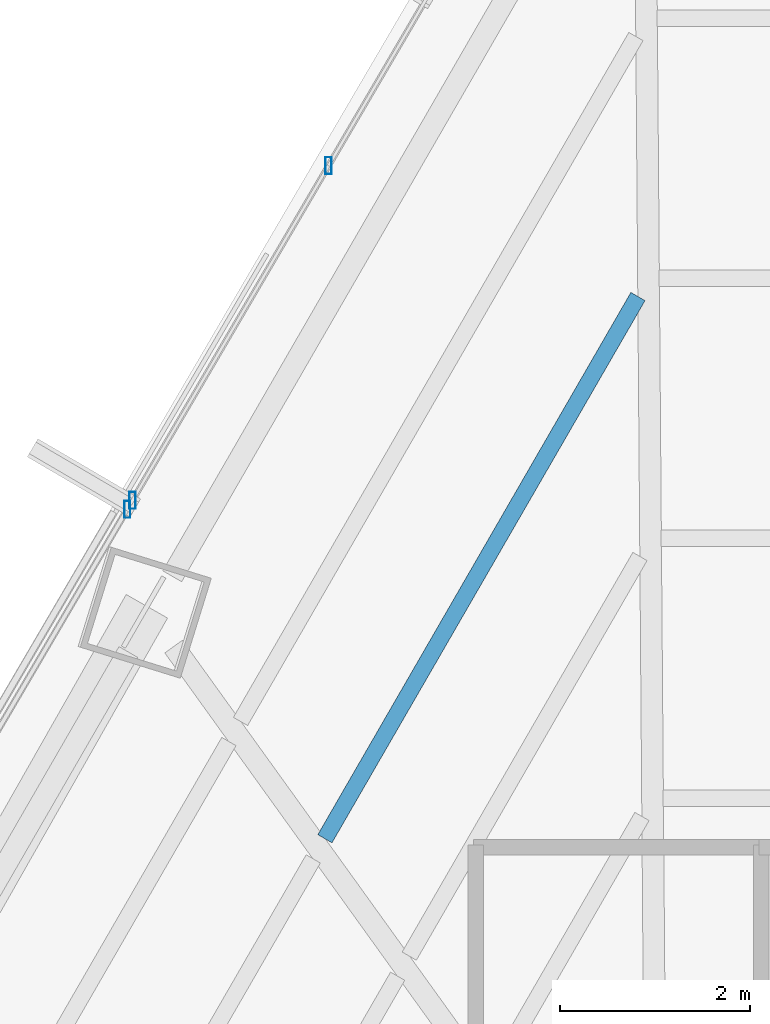
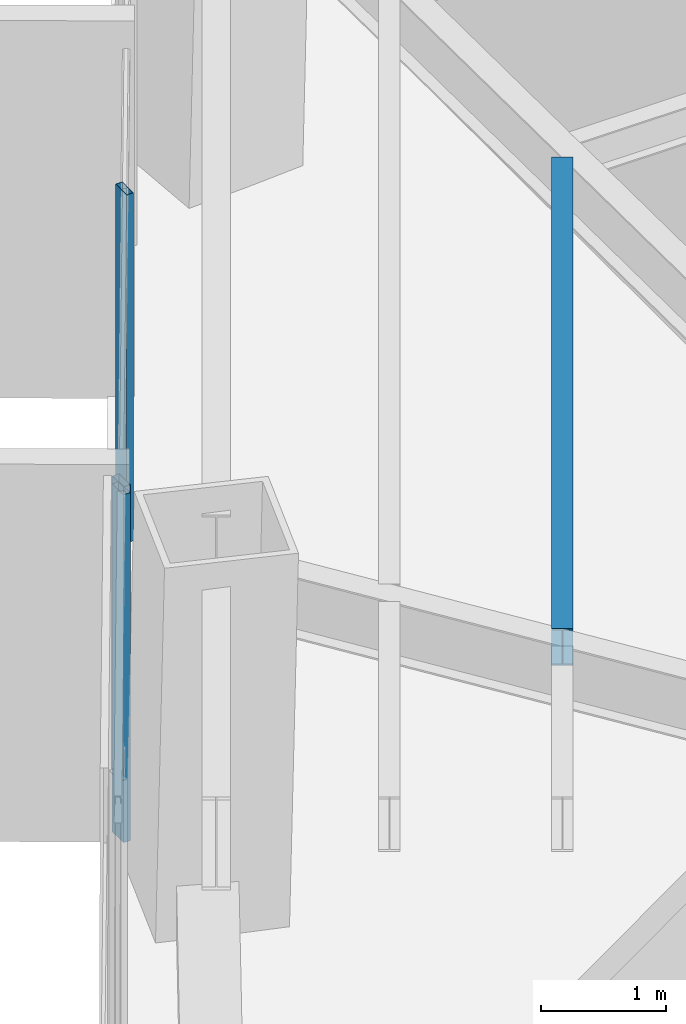
# One storey, part 24 of 35: 3 members, 1 beam, 2 elements without a shape of their own.
"""IFC4 building model written with IfcOpenShell, lengths in metres."""

import ifcopenshell
import ifcopenshell.guid

model = None  # the IFC model being written
_history = None  # IfcOwnerHistory: only IFC2X3 demands one
_inside = {}  # id of a spatial element -> (the spatial element, [elements in it])
_under = {}  # id of a project, library or spatial element -> (it, [spatial elements below it])
_declared = {}  # id of a project -> (the project, [libraries it declares])
_typed = {}  # id of a type object -> (the type object, [elements of that type])
_made_of = {}  # id of a material, layer set ... -> (it, [elements and type objects made of it])


def new_model(schema):
    """Start an empty IFC model of exactly this schema.

    Asked for "IFC4X3", IfcOpenShell would pick the latest addendum, in which some entities
    have other attributes; the version numbers below select the first issue.
    IFC2X3 requires an IfcOwnerHistory on every rooted entity: one is made here for all.
    """
    global model, _history
    if schema == "IFC4X3":
        model = ifcopenshell.file(schema_version=(4, 3, 0, 0))
    else:
        model = ifcopenshell.file(schema=schema)
    _inside.clear()
    _under.clear()
    _declared.clear()
    _typed.clear()
    _made_of.clear()
    _history = None
    if model.schema == "IFC2X3":
        org = make("IfcOrganization", Name="unknown")
        user = make(
            "IfcPersonAndOrganization",
            ThePerson=make("IfcPerson", FamilyName="unknown"),
            TheOrganization=org,
        )
        app = make(
            "IfcApplication",
            ApplicationDeveloper=org,
            Version="unknown",
            ApplicationFullName="unknown",
            ApplicationIdentifier="unknown",
        )
        _history = make(
            "IfcOwnerHistory",
            OwningUser=user,
            OwningApplication=app,
            ChangeAction="ADDED",
            CreationDate=0,
        )
    return model


def make(cls, **values):
    """One entity of the class cls with the attributes given. An attribute that is None is left unset."""
    return model.create_entity(
        cls, **{name: value for name, value in values.items() if value is not None}
    )


def rooted(cls, **values):
    """An entity with a GlobalId (a new one), such as an element, a storey or a relation."""
    return make(cls, GlobalId=ifcopenshell.guid.new(), OwnerHistory=_history, **values)


def si_unit(unit_type, name, prefix=None):
    """IfcSIUnit, for example si_unit("LENGTHUNIT", "METRE", prefix="MILLI")."""
    return make("IfcSIUnit", UnitType=unit_type, Prefix=prefix, Name=name)


def assignment(units):
    """IfcUnitAssignment: the units of a project."""
    return None if units is None else make("IfcUnitAssignment", Units=units)


def point(xyz):
    """IfcCartesianPoint."""
    return None if xyz is None else make("IfcCartesianPoint", Coordinates=xyz)


def direction(xyz):
    """IfcDirection."""
    return None if xyz is None else make("IfcDirection", DirectionRatios=xyz)


def frame(location, z_axis=None, x_axis=None):
    """IfcAxis2Placement3D, a coordinate frame: its origin and axes. An axis left out is left unset."""
    return make(
        "IfcAxis2Placement3D",
        Location=point(location),
        Axis=direction(z_axis),
        RefDirection=direction(x_axis),
    )


def frame_2d(location, x_axis=None):
    """IfcAxis2Placement2D, a coordinate frame in the plane: its origin and x axis."""
    return make(
        "IfcAxis2Placement2D", Location=point(location), RefDirection=direction(x_axis)
    )


def origin():
    """The frame at (0, 0, 0) with its axes left unset."""
    return frame((0.0, 0.0, 0.0))


def origin_2d():
    """The frame at (0, 0) in the plane with its x axis left unset."""
    return frame_2d((0.0, 0.0))


def place(relative_to, where):
    """IfcLocalPlacement: puts the frame where relative to a parent placement (None: the world)."""
    return make(
        "IfcLocalPlacement", PlacementRelTo=relative_to, RelativePlacement=where
    )


def context(
    kind, dimensions, precision=None, world=None, true_north=None, identifier=None
):
    """IfcGeometricRepresentationContext, for example the 3D "Model" context."""
    return make(
        "IfcGeometricRepresentationContext",
        ContextIdentifier=identifier,
        ContextType=kind,
        CoordinateSpaceDimension=dimensions,
        Precision=precision,
        WorldCoordinateSystem=world,
        TrueNorth=true_north,
    )


def subcontext(parent, identifier, kind, view, scale=None):
    """IfcGeometricRepresentationSubContext, for example "Body" below "Model"."""
    return make(
        "IfcGeometricRepresentationSubContext",
        ContextIdentifier=identifier,
        ContextType=kind,
        ParentContext=parent,
        TargetScale=scale,
        TargetView=view,
    )


def project(units=None, contexts=None):
    """IfcProject with its units and contexts."""
    return rooted(
        "IfcProject",
        Name="project",
        RepresentationContexts=contexts,
        UnitsInContext=assignment(units),
    )


def spatial(cls, under=None, at=None, **own):
    """A site, building, storey or space (cls), placed at a placement, below another one or the project."""
    s = rooted(cls, ObjectPlacement=at, **own)
    if under is not None:
        _under.setdefault(under.id(), (under, []))[1].append(s)
    return s


def profile(cls, at=None, kind="AREA", **sizes):
    """A parametric profile (cls). Its sizes go by their IFC names, for example OverallWidth=200.0."""
    return make(cls, ProfileType=kind, Position=at, **sizes)


def hollow_rectangle(**sizes):
    """IfcRectangleHollowProfileDef."""
    return profile("IfcRectangleHollowProfileDef", **sizes)


def i_section(**sizes):
    """IfcIShapeProfileDef."""
    return profile("IfcIShapeProfileDef", **sizes)


def extrude(swept, where, along, depth):
    """IfcExtrudedAreaSolid: the profile swept, set in the frame where, extruded along a direction by depth."""
    return make(
        "IfcExtrudedAreaSolid",
        SweptArea=swept,
        Position=where,
        ExtrudedDirection=direction(along),
        Depth=depth,
    )


def shape(context_of_items, identifier, shape_type, items):
    """IfcShapeRepresentation: the items that make up one representation, for example the "Body"."""
    return make(
        "IfcShapeRepresentation",
        ContextOfItems=context_of_items,
        RepresentationIdentifier=identifier,
        RepresentationType=shape_type,
        Items=items,
    )


def source(mapping_origin, context_of_items, identifier, shape_type, items):
    """IfcRepresentationMap: a shape defined once, which mapped items show again and again."""
    return make(
        "IfcRepresentationMap",
        MappingOrigin=mapping_origin,
        MappedRepresentation=shape(context_of_items, identifier, shape_type, items),
    )


def transform(
    local_origin,
    x_axis=None,
    y_axis=None,
    z_axis=None,
    scale=None,
    scale2=None,
    scale3=None,
    uniform=True,
):
    """IfcCartesianTransformationOperator3D, or its non-uniform kind. x_axis, y_axis, z_axis: its Axis1, 2, 3."""
    if uniform:
        return make(
            "IfcCartesianTransformationOperator3D",
            Axis1=direction(x_axis),
            Axis2=direction(y_axis),
            LocalOrigin=point(local_origin),
            Scale=scale,
            Axis3=direction(z_axis),
        )
    return make(
        "IfcCartesianTransformationOperator3DnonUniform",
        Axis1=direction(x_axis),
        Axis2=direction(y_axis),
        LocalOrigin=point(local_origin),
        Scale=scale,
        Axis3=direction(z_axis),
        Scale2=scale2,
        Scale3=scale3,
    )


def mapped(mapping_source, mapping_target):
    """IfcMappedItem: shows the shape of a source again, moved by a transform."""
    return make(
        "IfcMappedItem", MappingSource=mapping_source, MappingTarget=mapping_target
    )


def material(Name=None, Category=None):
    """IfcMaterial."""
    return make("IfcMaterial", Name=Name, Category=Category)


def material_profile(
    of_material, cross_section, Name=None, Category=None, Priority=None
):
    """IfcMaterialProfile: a cross section and its material."""
    return make(
        "IfcMaterialProfile",
        Name=Name,
        Material=of_material,
        Profile=cross_section,
        Priority=Priority,
        Category=Category,
    )


def profile_set(profiles, Name=None, composite=None):
    """IfcMaterialProfileSet."""
    return make(
        "IfcMaterialProfileSet",
        Name=Name,
        MaterialProfiles=profiles,
        CompositeProfile=composite,
    )


def made_of(thing, what):
    """Note that an element or type object is made of a material, layer set ...; save() writes the relation."""
    if what is not None:
        _made_of.setdefault(what.id(), (what, []))[1].append(thing)
    return thing


def type_object(cls, material=None, **own):
    """A type object (cls), such as IfcWallType, which elements share."""
    return made_of(rooted(cls, **own), material)


def type_shapes(of_type, sources):
    """Give a type object the sources (RepresentationMaps) that its elements show as mapped items."""
    of_type.RepresentationMaps = sources


def element(
    cls,
    number,
    at=None,
    inside=None,
    cuts=None,
    type_object=None,
    material=None,
    context=None,
    identifier="Body",
    shape_type=None,
    held_by="IfcProductDefinitionShape",
    body=None,
    shapes=None,
    **own,
):
    """One element of the class cls, such as IfcWall. Its Tag is "e" and its number.

    at: its placement. inside: the storey or other place that contains it. cuts: it is an
    opening in that element (IfcRelVoidsElement). A single representation is given by context,
    identifier, shape_type and body (its items); several are given by shapes. held_by: the class
    of the entity that holds the representations. save() writes the other relations.
    """
    e = rooted(cls, Tag="e%d" % number, ObjectPlacement=at, **own)
    if body is not None:
        shapes = [shape(context, identifier, shape_type, body)]
    if shapes is not None:
        e.Representation = make(held_by, Representations=shapes)
    if inside is not None:
        _inside.setdefault(inside.id(), (inside, []))[1].append(e)
    if cuts is not None:
        rooted(
            "IfcRelVoidsElement", RelatingBuildingElement=cuts, RelatedOpeningElement=e
        )
    if type_object is not None:
        _typed.setdefault(type_object.id(), (type_object, []))[1].append(e)
    return made_of(e, material)


def aggregate(whole, parts):
    """IfcRelAggregates: a whole, such as a stair, and the parts it consists of."""
    return rooted("IfcRelAggregates", RelatingObject=whole, RelatedObjects=parts)


def save(model, path):
    """Write the relations noted so far, then the file.

    IfcRelAggregates (storeys below a building ...), IfcRelContainedInSpatialStructure (elements
    in a storey), IfcRelDefinesByType, IfcRelAssociatesMaterial and IfcRelDeclares: one each for
    every whole, place, type object, material and project.
    """
    for whole, parts in _under.values():
        aggregate(whole, parts)
    for where, things in _inside.values():
        rooted(
            "IfcRelContainedInSpatialStructure",
            RelatedElements=things,
            RelatingStructure=where,
        )
    for kind, things in _typed.values():
        rooted("IfcRelDefinesByType", RelatedObjects=things, RelatingType=kind)
    for what, things in _made_of.values():
        rooted("IfcRelAssociatesMaterial", RelatedObjects=things, RelatingMaterial=what)
    for by, libraries in _declared.values():
        rooted("IfcRelDeclares", RelatingContext=by, RelatedDefinitions=libraries)
    model.write(path)


model = new_model("IFC4")

# Units and contexts
model_context = context("Model", 3, precision=1e-05, world=origin(), true_north=direction((0.0, 1.0)))
body_context = subcontext(model_context, "Body", "Model", "MODEL_VIEW")
ifc_project = project(units=[si_unit("LENGTHUNIT", "METRE"), si_unit("AREAUNIT", "SQUARE_METRE"), si_unit("VOLUMEUNIT", "CUBIC_METRE"), si_unit("PLANEANGLEUNIT", "RADIAN"), si_unit("MASSUNIT", "GRAM", prefix="KILO")], contexts=[model_context])

# Site, building, storey
site_placement = place(None, origin())
site = spatial("IfcSite", under=ifc_project, at=site_placement, CompositionType="ELEMENT")
building_placement = place(site_placement, origin())
building = spatial("IfcBuilding", under=site, at=building_placement, Name="Caelisora Broadcast Tower", CompositionType="ELEMENT")
storey_placement = place(building_placement, frame((0.0, 0.0, 94.449951171875)))
storey = spatial("IfcBuildingStorey", under=building, at=storey_placement, Name="L24", CompositionType="ELEMENT", Elevation=94.449951171875)

# Beam
ifc_material_1 = material(Name="Steel Grade 350 (AS/NZS 3679.1)", Category="steel")
ifc_material_profile_1 = material_profile(ifc_material_1, i_section(OverallWidth=0.172119140625, OverallDepth=0.358642578125, WebThickness=0.008056640625, FlangeThickness=0.012939453125, at=origin_2d()), Name="Steel Grade 350 (AS/NZS 3679.1)")
ifc_profile_set_1 = profile_set([ifc_material_profile_1], Name="Steel Grade 350 (AS/NZS 3679.1)")
beam_type = type_object("IfcBeamType", Name="SB02", PredefinedType="JOIST", material=ifc_profile_set_1)
shared_shape_1 = source(origin(), body_context, "Body", "SweptSolid", [
    extrude(i_section(OverallWidth=0.172119140625, OverallDepth=0.358642578125, WebThickness=0.008056640625, FlangeThickness=0.012939453125, at=origin_2d()), origin(), (0.0, 0.0, 1.0), 6.581298828125),
])
type_shapes(beam_type, [shared_shape_1])
beam_placement = place(storey_placement, frame((30.30419921875, 40.738525390625, 3.220703125), z_axis=(-0.500021088148, -0.866013228194, 0.0), x_axis=(0.866013228194, -0.500021088148, 0.0)))
element("IfcBeam", 1, at=beam_placement, inside=storey, type_object=beam_type, Name="L24 beam SB02", PredefinedType="JOIST", context=body_context, shape_type="MappedRepresentation", body=[
    mapped(shared_shape_1, transform((0.0, 0.0, 0.0), scale=1.0)),
])

# Curtain wall, member
ifc_material_2 = material(Name="Unitised Aluminium Insulated Shadow-Box Spandrel Curtain Wall", Category="aluminium")
curtain_wall_type_1 = type_object("IfcCurtainWallType", Name="CW-SP1", PredefinedType="NOTDEFINED", material=ifc_material_2)
curtain_wall_1_placement = place(storey_placement, origin())
curtain_wall_1 = element("IfcCurtainWall", 2, at=curtain_wall_1_placement, inside=storey, type_object=curtain_wall_type_1, Name="L24 curtain wall CW-SP1", PredefinedType="NOTDEFINED")
ifc_material_3 = material(Name="Aluminium 6063-T6 Anodised Terracotta Bronze", Category="aluminium")
ifc_material_profile_2 = material_profile(ifc_material_3, hollow_rectangle(XDim=0.06494140625, YDim=0.179931640625, WallThickness=0.00341796875, at=origin_2d()), Name="Aluminium 6063-T6 Anodised Terracotta Bronze")
ifc_profile_set_2 = profile_set([ifc_material_profile_2], Name="Aluminium 6063-T6 Anodised Terracotta Bronze")
member_type = type_object("IfcMemberType", Name="CWM-02", PredefinedType="MULLION", material=ifc_profile_set_2)
shared_shape_2 = source(origin(), body_context, "Body", "SweptSolid", [
    extrude(hollow_rectangle(XDim=0.06494140625, YDim=0.179931640625, WallThickness=0.00341796875, at=origin_2d()), origin(), (0.0, 0.0, 1.0), 3.400146484375),
])
type_shapes(member_type, [shared_shape_2])
member_1_placement = place(storey_placement, frame((24.936279296875, 38.501708984375, 0.0), z_axis=(0.0, 0.0, 1.0), x_axis=(1.0, 0.0, 0.0)))
member_1 = element("IfcMember", 3, at=member_1_placement, type_object=member_type, Name="L24-CW-B10 mullion #3", PredefinedType="MULLION", context=body_context, shape_type="MappedRepresentation", body=[
    mapped(shared_shape_2, transform((0.0, 0.0, 0.0), scale=1.0)),
])
aggregate(curtain_wall_1, [member_1])

# Curtain wall, members
ifc_material_4 = material(Name="Unitised Aluminium and Low-E Glass Curtain Wall", Category="glass")
curtain_wall_type_2 = type_object("IfcCurtainWallType", Name="CW-Z2", PredefinedType="NOTDEFINED", material=ifc_material_4)
curtain_wall_2_placement = place(storey_placement, origin())
curtain_wall_2 = element("IfcCurtainWall", 4, at=curtain_wall_2_placement, inside=storey, type_object=curtain_wall_type_2, Name="L24 curtain wall CW-Z2", PredefinedType="NOTDEFINED")
member_2_placement = place(storey_placement, frame((24.99169921875, 38.596435546875, 0.0), z_axis=(0.0, 0.0, 1.0), x_axis=(1.0, 0.0, 0.0)))
member_2 = element("IfcMember", 5, at=member_2_placement, type_object=member_type, Name="L24-CW-B11 mullion #0", PredefinedType="MULLION", context=body_context, shape_type="MappedRepresentation", body=[
    mapped(shared_shape_2, transform((0.0, 0.0, 0.0), scale=1.0)),
])
member_3_placement = place(storey_placement, frame((27.052001953125, 42.113525390625, 0.0), z_axis=(0.0, 0.0, 1.0), x_axis=(1.0, 0.0, 0.0)))
member_3 = element("IfcMember", 6, at=member_3_placement, type_object=member_type, Name="L24-CW-B11 mullion #1", PredefinedType="MULLION", context=body_context, shape_type="MappedRepresentation", body=[
    mapped(shared_shape_2, transform((0.0, 0.0, 0.0), scale=1.0)),
])
aggregate(curtain_wall_2, [member_2, member_3])

save(model, "model.ifc")
